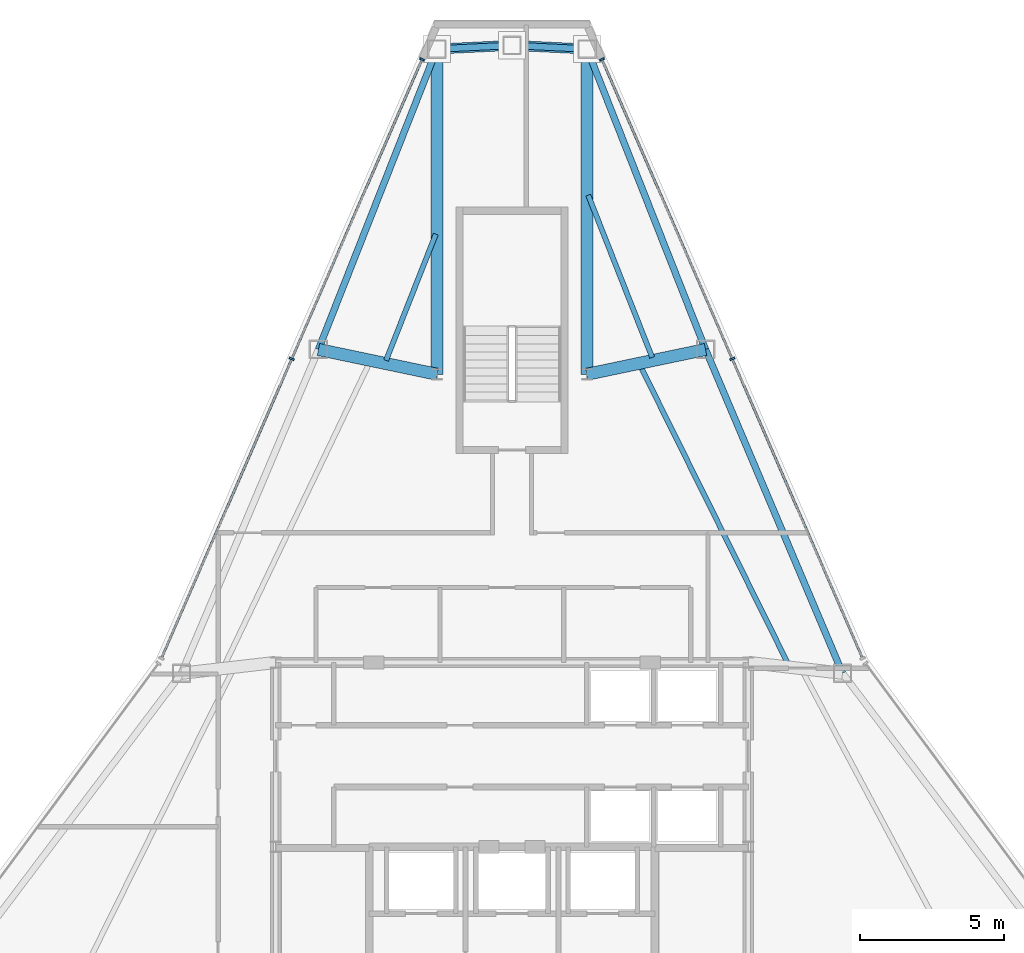
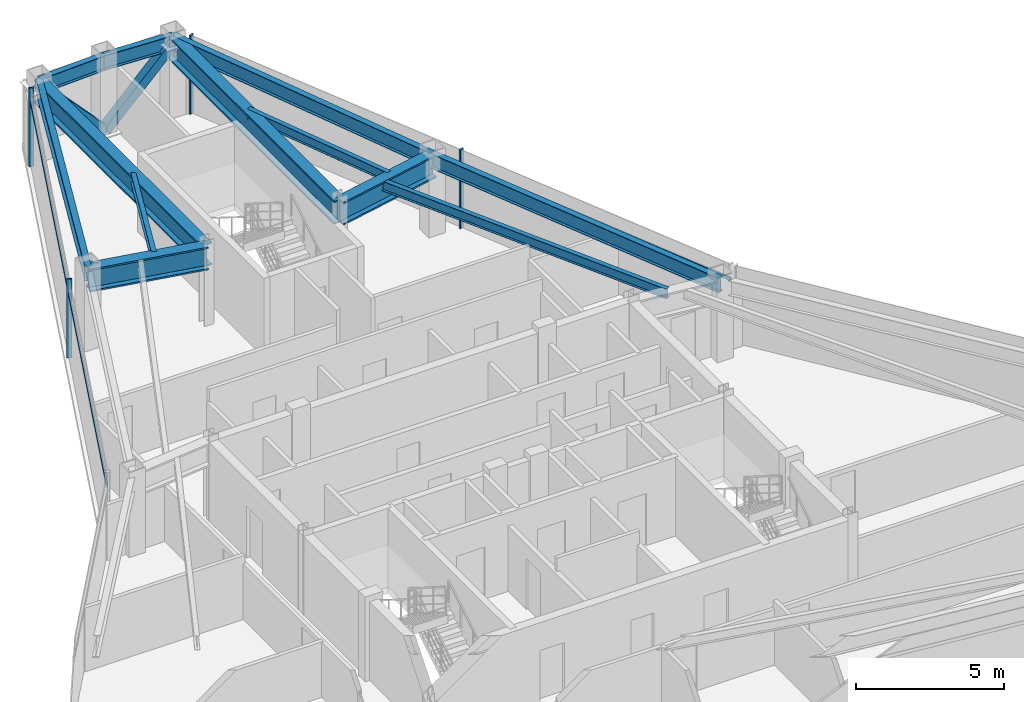
# One storey, part 7 of 11: 12 beams, 8 members, 2 elements without a shape of their own.
"""IFC4 building model written with IfcOpenShell, lengths in metres."""

import ifcopenshell
import ifcopenshell.guid

model = None  # the IFC model being written
_history = None  # IfcOwnerHistory: only IFC2X3 demands one
_inside = {}  # id of a spatial element -> (the spatial element, [elements in it])
_under = {}  # id of a project, library or spatial element -> (it, [spatial elements below it])
_declared = {}  # id of a project -> (the project, [libraries it declares])
_typed = {}  # id of a type object -> (the type object, [elements of that type])
_made_of = {}  # id of a material, layer set ... -> (it, [elements and type objects made of it])


def new_model(schema):
    """Start an empty IFC model of exactly this schema.

    Asked for "IFC4X3", IfcOpenShell would pick the latest addendum, in which some entities
    have other attributes; the version numbers below select the first issue.
    IFC2X3 requires an IfcOwnerHistory on every rooted entity: one is made here for all.
    """
    global model, _history
    if schema == "IFC4X3":
        model = ifcopenshell.file(schema_version=(4, 3, 0, 0))
    else:
        model = ifcopenshell.file(schema=schema)
    _inside.clear()
    _under.clear()
    _declared.clear()
    _typed.clear()
    _made_of.clear()
    _history = None
    if model.schema == "IFC2X3":
        org = make("IfcOrganization", Name="unknown")
        user = make(
            "IfcPersonAndOrganization",
            ThePerson=make("IfcPerson", FamilyName="unknown"),
            TheOrganization=org,
        )
        app = make(
            "IfcApplication",
            ApplicationDeveloper=org,
            Version="unknown",
            ApplicationFullName="unknown",
            ApplicationIdentifier="unknown",
        )
        _history = make(
            "IfcOwnerHistory",
            OwningUser=user,
            OwningApplication=app,
            ChangeAction="ADDED",
            CreationDate=0,
        )
    return model


def make(cls, **values):
    """One entity of the class cls with the attributes given. An attribute that is None is left unset."""
    return model.create_entity(
        cls, **{name: value for name, value in values.items() if value is not None}
    )


def rooted(cls, **values):
    """An entity with a GlobalId (a new one), such as an element, a storey or a relation."""
    return make(cls, GlobalId=ifcopenshell.guid.new(), OwnerHistory=_history, **values)


def si_unit(unit_type, name, prefix=None):
    """IfcSIUnit, for example si_unit("LENGTHUNIT", "METRE", prefix="MILLI")."""
    return make("IfcSIUnit", UnitType=unit_type, Prefix=prefix, Name=name)


def assignment(units):
    """IfcUnitAssignment: the units of a project."""
    return None if units is None else make("IfcUnitAssignment", Units=units)


def point(xyz):
    """IfcCartesianPoint."""
    return None if xyz is None else make("IfcCartesianPoint", Coordinates=xyz)


def direction(xyz):
    """IfcDirection."""
    return None if xyz is None else make("IfcDirection", DirectionRatios=xyz)


def frame(location, z_axis=None, x_axis=None):
    """IfcAxis2Placement3D, a coordinate frame: its origin and axes. An axis left out is left unset."""
    return make(
        "IfcAxis2Placement3D",
        Location=point(location),
        Axis=direction(z_axis),
        RefDirection=direction(x_axis),
    )


def frame_2d(location, x_axis=None):
    """IfcAxis2Placement2D, a coordinate frame in the plane: its origin and x axis."""
    return make(
        "IfcAxis2Placement2D", Location=point(location), RefDirection=direction(x_axis)
    )


def origin():
    """The frame at (0, 0, 0) with its axes left unset."""
    return frame((0.0, 0.0, 0.0))


def origin_2d():
    """The frame at (0, 0) in the plane with its x axis left unset."""
    return frame_2d((0.0, 0.0))


def place(relative_to, where):
    """IfcLocalPlacement: puts the frame where relative to a parent placement (None: the world)."""
    return make(
        "IfcLocalPlacement", PlacementRelTo=relative_to, RelativePlacement=where
    )


def context(
    kind, dimensions, precision=None, world=None, true_north=None, identifier=None
):
    """IfcGeometricRepresentationContext, for example the 3D "Model" context."""
    return make(
        "IfcGeometricRepresentationContext",
        ContextIdentifier=identifier,
        ContextType=kind,
        CoordinateSpaceDimension=dimensions,
        Precision=precision,
        WorldCoordinateSystem=world,
        TrueNorth=true_north,
    )


def subcontext(parent, identifier, kind, view, scale=None):
    """IfcGeometricRepresentationSubContext, for example "Body" below "Model"."""
    return make(
        "IfcGeometricRepresentationSubContext",
        ContextIdentifier=identifier,
        ContextType=kind,
        ParentContext=parent,
        TargetScale=scale,
        TargetView=view,
    )


def project(units=None, contexts=None):
    """IfcProject with its units and contexts."""
    return rooted(
        "IfcProject",
        Name="project",
        RepresentationContexts=contexts,
        UnitsInContext=assignment(units),
    )


def spatial(cls, under=None, at=None, **own):
    """A site, building, storey or space (cls), placed at a placement, below another one or the project."""
    s = rooted(cls, ObjectPlacement=at, **own)
    if under is not None:
        _under.setdefault(under.id(), (under, []))[1].append(s)
    return s


def profile(cls, at=None, kind="AREA", **sizes):
    """A parametric profile (cls). Its sizes go by their IFC names, for example OverallWidth=200.0."""
    return make(cls, ProfileType=kind, Position=at, **sizes)


def rectangle(**sizes):
    """IfcRectangleProfileDef."""
    return profile("IfcRectangleProfileDef", **sizes)


def hollow_rectangle(**sizes):
    """IfcRectangleHollowProfileDef."""
    return profile("IfcRectangleHollowProfileDef", **sizes)


def i_section(**sizes):
    """IfcIShapeProfileDef."""
    return profile("IfcIShapeProfileDef", **sizes)


def extrude(swept, where, along, depth):
    """IfcExtrudedAreaSolid: the profile swept, set in the frame where, extruded along a direction by depth."""
    return make(
        "IfcExtrudedAreaSolid",
        SweptArea=swept,
        Position=where,
        ExtrudedDirection=direction(along),
        Depth=depth,
    )


def shape(context_of_items, identifier, shape_type, items):
    """IfcShapeRepresentation: the items that make up one representation, for example the "Body"."""
    return make(
        "IfcShapeRepresentation",
        ContextOfItems=context_of_items,
        RepresentationIdentifier=identifier,
        RepresentationType=shape_type,
        Items=items,
    )


def source(mapping_origin, context_of_items, identifier, shape_type, items):
    """IfcRepresentationMap: a shape defined once, which mapped items show again and again."""
    return make(
        "IfcRepresentationMap",
        MappingOrigin=mapping_origin,
        MappedRepresentation=shape(context_of_items, identifier, shape_type, items),
    )


def transform(
    local_origin,
    x_axis=None,
    y_axis=None,
    z_axis=None,
    scale=None,
    scale2=None,
    scale3=None,
    uniform=True,
):
    """IfcCartesianTransformationOperator3D, or its non-uniform kind. x_axis, y_axis, z_axis: its Axis1, 2, 3."""
    if uniform:
        return make(
            "IfcCartesianTransformationOperator3D",
            Axis1=direction(x_axis),
            Axis2=direction(y_axis),
            LocalOrigin=point(local_origin),
            Scale=scale,
            Axis3=direction(z_axis),
        )
    return make(
        "IfcCartesianTransformationOperator3DnonUniform",
        Axis1=direction(x_axis),
        Axis2=direction(y_axis),
        LocalOrigin=point(local_origin),
        Scale=scale,
        Axis3=direction(z_axis),
        Scale2=scale2,
        Scale3=scale3,
    )


def mapped(mapping_source, mapping_target):
    """IfcMappedItem: shows the shape of a source again, moved by a transform."""
    return make(
        "IfcMappedItem", MappingSource=mapping_source, MappingTarget=mapping_target
    )


def material(Name=None, Category=None):
    """IfcMaterial."""
    return make("IfcMaterial", Name=Name, Category=Category)


def layer(
    of_material, thickness, ventilated=None, Name=None, Category=None, Priority=None
):
    """IfcMaterialLayer: one layer of a wall or slab, of a material (None: an air gap)."""
    return make(
        "IfcMaterialLayer",
        Material=of_material,
        LayerThickness=thickness,
        IsVentilated=ventilated,
        Name=Name,
        Category=Category,
        Priority=Priority,
    )


def layer_set(layers, Name=None):
    """IfcMaterialLayerSet."""
    return make("IfcMaterialLayerSet", MaterialLayers=layers, LayerSetName=Name)


def material_profile(
    of_material, cross_section, Name=None, Category=None, Priority=None
):
    """IfcMaterialProfile: a cross section and its material."""
    return make(
        "IfcMaterialProfile",
        Name=Name,
        Material=of_material,
        Profile=cross_section,
        Priority=Priority,
        Category=Category,
    )


def profile_set(profiles, Name=None, composite=None):
    """IfcMaterialProfileSet."""
    return make(
        "IfcMaterialProfileSet",
        Name=Name,
        MaterialProfiles=profiles,
        CompositeProfile=composite,
    )


def made_of(thing, what):
    """Note that an element or type object is made of a material, layer set ...; save() writes the relation."""
    if what is not None:
        _made_of.setdefault(what.id(), (what, []))[1].append(thing)
    return thing


def type_object(cls, material=None, **own):
    """A type object (cls), such as IfcWallType, which elements share."""
    return made_of(rooted(cls, **own), material)


def type_shapes(of_type, sources):
    """Give a type object the sources (RepresentationMaps) that its elements show as mapped items."""
    of_type.RepresentationMaps = sources


def element(
    cls,
    number,
    at=None,
    inside=None,
    cuts=None,
    type_object=None,
    material=None,
    context=None,
    identifier="Body",
    shape_type=None,
    held_by="IfcProductDefinitionShape",
    body=None,
    shapes=None,
    **own,
):
    """One element of the class cls, such as IfcWall. Its Tag is "e" and its number.

    at: its placement. inside: the storey or other place that contains it. cuts: it is an
    opening in that element (IfcRelVoidsElement). A single representation is given by context,
    identifier, shape_type and body (its items); several are given by shapes. held_by: the class
    of the entity that holds the representations. save() writes the other relations.
    """
    e = rooted(cls, Tag="e%d" % number, ObjectPlacement=at, **own)
    if body is not None:
        shapes = [shape(context, identifier, shape_type, body)]
    if shapes is not None:
        e.Representation = make(held_by, Representations=shapes)
    if inside is not None:
        _inside.setdefault(inside.id(), (inside, []))[1].append(e)
    if cuts is not None:
        rooted(
            "IfcRelVoidsElement", RelatingBuildingElement=cuts, RelatedOpeningElement=e
        )
    if type_object is not None:
        _typed.setdefault(type_object.id(), (type_object, []))[1].append(e)
    return made_of(e, material)


def aggregate(whole, parts):
    """IfcRelAggregates: a whole, such as a stair, and the parts it consists of."""
    return rooted("IfcRelAggregates", RelatingObject=whole, RelatedObjects=parts)


def save(model, path):
    """Write the relations noted so far, then the file.

    IfcRelAggregates (storeys below a building ...), IfcRelContainedInSpatialStructure (elements
    in a storey), IfcRelDefinesByType, IfcRelAssociatesMaterial and IfcRelDeclares: one each for
    every whole, place, type object, material and project.
    """
    for whole, parts in _under.values():
        aggregate(whole, parts)
    for where, things in _inside.values():
        rooted(
            "IfcRelContainedInSpatialStructure",
            RelatedElements=things,
            RelatingStructure=where,
        )
    for kind, things in _typed.values():
        rooted("IfcRelDefinesByType", RelatedObjects=things, RelatingType=kind)
    for what, things in _made_of.values():
        rooted("IfcRelAssociatesMaterial", RelatedObjects=things, RelatingMaterial=what)
    for by, libraries in _declared.values():
        rooted("IfcRelDeclares", RelatingContext=by, RelatedDefinitions=libraries)
    model.write(path)


model = new_model("IFC4")

# Units and contexts
model_context = context("Model", 3, precision=1e-05, world=origin(), true_north=direction((0.0, 1.0)))
body_context = subcontext(model_context, "Body", "Model", "MODEL_VIEW")
ifc_project = project(units=[si_unit("LENGTHUNIT", "METRE"), si_unit("AREAUNIT", "SQUARE_METRE"), si_unit("VOLUMEUNIT", "CUBIC_METRE"), si_unit("PLANEANGLEUNIT", "RADIAN"), si_unit("MASSUNIT", "GRAM", prefix="KILO")], contexts=[model_context])

# Site, building, storey
site_placement = place(None, origin())
site = spatial("IfcSite", under=ifc_project, at=site_placement, CompositionType="ELEMENT")
building_placement = place(site_placement, origin())
building = spatial("IfcBuilding", under=site, at=building_placement, Name="Varakhsha Concourse Tower", CompositionType="ELEMENT")
storey_placement = place(building_placement, frame((0.0, 0.0, 279.5)))
storey = spatial("IfcBuildingStorey", under=building, at=storey_placement, Name="L79", CompositionType="ELEMENT", Elevation=279.5)

# Beams
ifc_material_1 = material(Name="Structural Steel ASTM A992 Grade 50", Category="steel")
ifc_material_profile_1 = material_profile(ifc_material_1, i_section(OverallWidth=0.177978515625, OverallDepth=0.406982421875, WebThickness=0.008056640625, FlangeThickness=0.012939453125, at=origin_2d()), Name="W16X40")
ifc_profile_set_1 = profile_set([ifc_material_profile_1], Name="Structural Steel ASTM A992 Grade 50")
beam_type_1 = type_object("IfcBeamType", Name="BM-JST-W16X40", PredefinedType="JOIST", material=ifc_profile_set_1)
beam_1_placement = place(storey_placement, frame((37.3564453125, 46.06494140625, 3.04638671875), z_axis=(-0.366713451623, -0.930333942409, 0.0), x_axis=(0.930333942409, -0.366713451623, 0.0)))
element("IfcBeam", 1, at=beam_1_placement, inside=storey, type_object=beam_type_1, Name="BM-TJST-L79-03", PredefinedType="JOIST", context=body_context, shape_type="SweptSolid", body=[
    extrude(i_section(OverallWidth=0.177978515625, OverallDepth=0.406982421875, WebThickness=0.008056640625, FlangeThickness=0.012939453125, at=origin_2d()), origin(), (0.0, 0.0, 1.0), 4.71142578125),
])
beam_2_placement = place(storey_placement, frame((49.5908203125, 31.1328125, 3.04638671875), z_axis=(-0.444192551779, 0.895931346111, 0.0), x_axis=(-0.895931346111, -0.444192551779, 0.0)))
element("IfcBeam", 2, at=beam_2_placement, inside=storey, type_object=beam_type_1, Name="BM-TJST-L79-17", PredefinedType="JOIST", context=body_context, shape_type="SweptSolid", body=[
    extrude(i_section(OverallWidth=0.177978515625, OverallDepth=0.406982421875, WebThickness=0.008056640625, FlangeThickness=0.012939453125, at=origin_2d()), origin(), (0.0, 0.0, 1.0), 11.5498046875),
])
beam_3_placement = place(storey_placement, frame((44.865234375, 41.784912109375, 3.04638671875), z_axis=(-0.366694753841, 0.930341312372, 0.0), x_axis=(-0.930341312372, -0.366694753841, 0.0)))
element("IfcBeam", 3, at=beam_3_placement, inside=storey, type_object=beam_type_1, Name="BM-TJST-L79-18", PredefinedType="JOIST", context=body_context, shape_type="SweptSolid", body=[
    extrude(i_section(OverallWidth=0.177978515625, OverallDepth=0.406982421875, WebThickness=0.008056640625, FlangeThickness=0.012939453125, at=origin_2d()), origin(), (0.0, 0.0, 1.0), 6.056640625),
])
ifc_material_profile_2 = material_profile(ifc_material_1, i_section(OverallWidth=0.423095703125, OverallDepth=0.947998046875, WebThickness=0.0380859375, FlangeThickness=0.06396484375, at=origin_2d()), Name="W36X302")
ifc_profile_set_2 = profile_set([ifc_material_profile_2], Name="Structural Steel ASTM A992 Grade 50")
beam_type_2 = type_object("IfcBeamType", Name="BM-OUTR-W36X302", PredefinedType="USERDEFINED", material=ifc_profile_set_2)
for number, where, z_axis, x_axis, name in (
    (4, (42.60009765625, 41.199951171875, 2.77587890625), (0.000627162506, 0.999999803334, 0.0), (-0.999999803334, 0.000627162506, 0.0), "L79 Radial Floor Girder 01"),
    (5, (37.39990234375, 41.199951171875, 2.77587890625), (-0.000627162506, 0.999999803334, 0.0), (-0.999999803334, -0.000627162506, 0.0), "L79 Radial Floor Girder 03"),
):
    element("IfcBeam", number, at=place(storey_placement, frame(where, z_axis=z_axis, x_axis=x_axis)), inside=storey, type_object=beam_type_2, Name=name, ObjectType="GIRDER", PredefinedType="USERDEFINED", context=body_context, shape_type="SweptSolid", body=[
        extrude(i_section(OverallWidth=0.423095703125, OverallDepth=0.947998046875, WebThickness=0.0380859375, FlangeThickness=0.06396484375, at=origin_2d()), origin(), (0.0, 0.0, 1.0), 11.2890625),
    ])
for number, where, z_axis, x_axis, name in (
    (6, (37.39990234375, 41.199951171875, 2.77587890625), (-0.978775195444, 0.204936860479, 0.0), (-0.204936860479, -0.978775195444, 0.0), "L79 Radial Floor Girder 04"),
    (7, (42.60009765625, 41.199951171875, 2.77587890625), (0.978775195444, 0.204936860479, 0.0), (-0.204936860479, 0.978775195444, 0.0), "L79 Radial Floor Girder 18"),
):
    element("IfcBeam", number, at=place(storey_placement, frame(where, z_axis=z_axis, x_axis=x_axis)), inside=storey, type_object=beam_type_2, Name=name, ObjectType="GIRDER", PredefinedType="USERDEFINED", context=body_context, shape_type="SweptSolid", body=[
        extrude(i_section(OverallWidth=0.423095703125, OverallDepth=0.947998046875, WebThickness=0.0380859375, FlangeThickness=0.06396484375, at=origin_2d()), origin(), (0.0, 0.0, 1.0), 4.20654296875),
    ])
ifc_material_profile_3 = material_profile(ifc_material_1, i_section(OverallWidth=0.22900390625, OverallDepth=0.612060546875, WebThickness=0.011962890625, FlangeThickness=0.02001953125, at=origin_2d()), Name="W24X84")
ifc_profile_set_3 = profile_set([ifc_material_profile_3], Name="Structural Steel ASTM A992 Grade 50")
beam_type_3 = type_object("IfcBeamType", Name="BM-SPAN-W24X84", PredefinedType="SPANDREL", material=ifc_profile_set_3)
for number, where, z_axis, x_axis, name in (
    (8, (42.607177734375, 52.489013671875, 2.944091796875), (-0.998802896169, 0.048915995383, 0.0), (-0.048915995383, -0.998802896169, 0.0), "BM-SPAN-L79-01"),
    (9, (40.0, 52.61669921875, 2.944091796875), (-0.998802896169, -0.048915995383, 0.0), (0.048915995383, -0.998802896169, 0.0), "BM-SPAN-L79-02"),
):
    element("IfcBeam", number, at=place(storey_placement, frame(where, z_axis=z_axis, x_axis=x_axis)), inside=storey, type_object=beam_type_3, Name=name, PredefinedType="SPANDREL", context=body_context, shape_type="SweptSolid", body=[
        extrude(i_section(OverallWidth=0.22900390625, OverallDepth=0.612060546875, WebThickness=0.011962890625, FlangeThickness=0.02001953125, at=origin_2d()), origin(), (0.0, 0.0, 1.0), 2.6103515625),
    ])
beam_4_placement = place(storey_placement, frame((37.392822265625, 52.489013671875, 2.944091796875), z_axis=(-0.366717648912, -0.930332287936, 0.0), x_axis=(0.930332287936, -0.366717648912, 0.0)))
element("IfcBeam", 10, at=beam_4_placement, inside=storey, type_object=beam_type_3, Name="BM-SPAN-L79-03", PredefinedType="SPANDREL", context=body_context, shape_type="SweptSolid", body=[
    extrude(i_section(OverallWidth=0.22900390625, OverallDepth=0.612060546875, WebThickness=0.011962890625, FlangeThickness=0.02001953125, at=origin_2d()), origin(), (0.0, 0.0, 1.0), 11.207763671875),
])
beam_5_placement = place(storey_placement, frame((51.471923828125, 30.8232421875, 2.944091796875), z_axis=(-0.389624327062, 0.920973877893, 0.0), x_axis=(-0.920973877893, -0.389624327062, 0.0)))
element("IfcBeam", 11, at=beam_5_placement, inside=storey, type_object=beam_type_3, Name="BM-SPAN-L79-17", PredefinedType="SPANDREL", context=body_context, shape_type="SweptSolid", body=[
    extrude(i_section(OverallWidth=0.22900390625, OverallDepth=0.612060546875, WebThickness=0.011962890625, FlangeThickness=0.02001953125, at=origin_2d()), origin(), (0.0, 0.0, 1.0), 12.203125),
])
beam_6_placement = place(storey_placement, frame((46.71728515625, 42.06201171875, 2.944091796875), z_axis=(-0.366717648912, 0.930332287936, 0.0), x_axis=(-0.930332287936, -0.366717648912, 0.0)))
element("IfcBeam", 12, at=beam_6_placement, inside=storey, type_object=beam_type_3, Name="BM-SPAN-L79-18", PredefinedType="SPANDREL", context=body_context, shape_type="SweptSolid", body=[
    extrude(i_section(OverallWidth=0.22900390625, OverallDepth=0.612060546875, WebThickness=0.011962890625, FlangeThickness=0.02001953125, at=origin_2d()), origin(), (0.0, 0.0, 1.0), 11.207763671875),
])

# Members
ifc_material_2 = material(Name="Structural Steel ASTM A500 Grade C", Category="steel")
ifc_material_profile_4 = material_profile(ifc_material_2, hollow_rectangle(XDim=0.35009765625, YDim=0.35009765625, WallThickness=0.01611328125, at=origin_2d()), Name="HSS 350x350x16")
ifc_profile_set_4 = profile_set([ifc_material_profile_4], Name="Structural Steel ASTM A500 Grade C")
member_type_1 = type_object("IfcMemberType", Name="MB-TUBE-HSS350", PredefinedType="BRACE", material=ifc_profile_set_4)
shared_shape_1 = source(origin(), body_context, "Body", "SweptSolid", [
    extrude(hollow_rectangle(XDim=0.35009765625, YDim=0.35009765625, WallThickness=0.01611328125, at=origin_2d()), origin(), (0.0, 0.0, 1.0), 3.849853515625),
])
type_shapes(member_type_1, [shared_shape_1])
for number, where, z_axis, x_axis, name in (
    (13, (40.0, 52.61669921875, 0.1201171875), (0.677208674465, -0.033166039587, 0.735043145025), (0.048915995383, 0.998802896169, 0.0), "L79 Wind-Corner Tube Brace B01"),
    (14, (40.0, 52.61669921875, 0.1201171875), (-0.677208674465, -0.033166039587, 0.735043145025), (0.048915995383, -0.998802896169, 0.0), "L79 Wind-Corner Tube Brace B02"),
):
    element("IfcMember", number, at=place(storey_placement, frame(where, z_axis=z_axis, x_axis=x_axis)), inside=storey, type_object=member_type_1, Name=name, PredefinedType="BRACE", context=body_context, shape_type="MappedRepresentation", body=[
        mapped(shared_shape_1, transform((0.0, 0.0, 0.0), scale=1.0)),
    ])

# Curtain wall, members
ifc_material_3 = material(Name="Anodised Bronze Architectural Aluminium AA 6063-T6", Category="aluminium")
ifc_layer = layer(ifc_material_3, 0.199951171875, Name="CW-SYS-05")
ifc_layer_set = layer_set([ifc_layer], Name="Anodised Bronze Architectural Aluminium AA 6063-T6")
curtain_wall_type = type_object("IfcCurtainWallType", Name="CW-SYS-05", PredefinedType="NOTDEFINED", material=ifc_layer_set)
curtain_wall_1_placement = place(storey_placement, origin())
curtain_wall_1 = element("IfcCurtainWall", 15, at=curtain_wall_1_placement, inside=storey, type_object=curtain_wall_type, Name="L79 Crystal Curtain Wall F2", PredefinedType="NOTDEFINED")
ifc_material_profile_5 = material_profile(ifc_material_3, rectangle(XDim=0.06494140625, YDim=0.179931640625, at=origin_2d()), Name="CWM-180X65")
ifc_profile_set_5 = profile_set([ifc_material_profile_5], Name="Anodised Bronze Architectural Aluminium AA 6063-T6")
member_type_2 = type_object("IfcMemberType", Name="CWM-180X65", PredefinedType="MULLION", material=ifc_profile_set_5)
shared_shape_2 = source(origin(), body_context, "Body", "SweptSolid", [
    extrude(rectangle(XDim=0.06494140625, YDim=0.179931640625, at=origin_2d()), origin(), (0.0, 0.0, 1.0), 3.25),
])
type_shapes(member_type_2, [shared_shape_2])
member_1_placement = place(storey_placement, frame((32.355224609375, 41.73486328125, 0.0), z_axis=(0.0, 0.0, 1.0), x_axis=(0.39908356189, 0.916914560158, 0.0)))
member_1 = element("IfcMember", 16, at=member_1_placement, type_object=member_type_2, Name="CW-L79-F2 Mullion 01", PredefinedType="MULLION", context=body_context, shape_type="MappedRepresentation", body=[
    mapped(shared_shape_2, transform((0.0, 0.0, 0.0), scale=1.0)),
])
member_2_placement = place(storey_placement, frame((36.8798828125, 52.130859375, 0.0), z_axis=(0.0, 0.0, 1.0), x_axis=(0.39908356189, 0.916914560158, 0.0)))
member_2 = element("IfcMember", 17, at=member_2_placement, type_object=member_type_2, Name="CW-L79-F2 Mullion 02", PredefinedType="MULLION", context=body_context, shape_type="MappedRepresentation", body=[
    mapped(shared_shape_2, transform((0.0, 0.0, 0.0), scale=1.0)),
])

curtain_wall_2_placement = place(storey_placement, origin())
curtain_wall_2 = element("IfcCurtainWall", 18, at=curtain_wall_2_placement, inside=storey, type_object=curtain_wall_type, Name="L79 Crystal Curtain Wall F9", PredefinedType="NOTDEFINED")
member_3_placement = place(storey_placement, frame((43.1201171875, 52.130859375, 0.0), z_axis=(0.0, 0.0, 1.0), x_axis=(0.39908356189, -0.916914560158, 0.0)))
member_3 = element("IfcMember", 19, at=member_3_placement, type_object=member_type_2, Name="CW-L79-F9 Mullion 00", PredefinedType="MULLION", context=body_context, shape_type="MappedRepresentation", body=[
    mapped(shared_shape_2, transform((0.0, 0.0, 0.0), scale=1.0)),
])
member_4_placement = place(storey_placement, frame((47.64501953125, 41.73486328125, 0.0), z_axis=(0.0, 0.0, 1.0), x_axis=(0.39908356189, -0.916914560158, 0.0)))
member_4 = element("IfcMember", 20, at=member_4_placement, type_object=member_type_2, Name="CW-L79-F9 Mullion 01", PredefinedType="MULLION", context=body_context, shape_type="MappedRepresentation", body=[
    mapped(shared_shape_2, transform((0.0, 0.0, 0.0), scale=1.0)),
])

# Member
ifc_material_profile_6 = material_profile(ifc_material_3, rectangle(XDim=0.06005859375, YDim=0.139892578125, at=origin_2d()), Name="CWT-140X60")
ifc_profile_set_6 = profile_set([ifc_material_profile_6], Name="Anodised Bronze Architectural Aluminium AA 6063-T6")
member_type_3 = type_object("IfcMemberType", Name="CWT-140X60", PredefinedType="USERDEFINED", material=ifc_profile_set_6)
shared_shape_3 = source(origin(), body_context, "Body", "SweptSolid", [
    extrude(rectangle(XDim=0.06005859375, YDim=0.139892578125, at=origin_2d()), origin(), (0.0, 0.0, 1.0), 22.676025390625),
])
type_shapes(member_type_3, [shared_shape_3])
member_5_placement = place(storey_placement, frame((27.830322265625, 31.3388671875, 2.60009765625), z_axis=(0.399080793172, 0.916915765227, 0.0), x_axis=(-0.916915765227, 0.399080793172, 0.0)))
member_5 = element("IfcMember", 21, at=member_5_placement, type_object=member_type_3, Name="CW-L79-F2 Transom 01", ObjectType="TRANSOM", PredefinedType="USERDEFINED", context=body_context, shape_type="MappedRepresentation", body=[
    mapped(shared_shape_3, transform((0.0, 0.0, 0.0), scale=1.0)),
])

aggregate(curtain_wall_1, [member_1, member_2, member_5])

member_6_placement = place(storey_placement, frame((43.1201171875, 52.130859375, 2.60009765625), z_axis=(0.399080793172, -0.916915765227, 0.0), x_axis=(0.916915765227, 0.399080793172, 0.0)))
member_6 = element("IfcMember", 22, at=member_6_placement, type_object=member_type_3, Name="CW-L79-F9 Transom 01", ObjectType="TRANSOM", PredefinedType="USERDEFINED", context=body_context, shape_type="MappedRepresentation", body=[
    mapped(shared_shape_3, transform((0.0, 0.0, 0.0), scale=1.0)),
])

aggregate(curtain_wall_2, [member_3, member_4, member_6])

save(model, "model.ifc")
